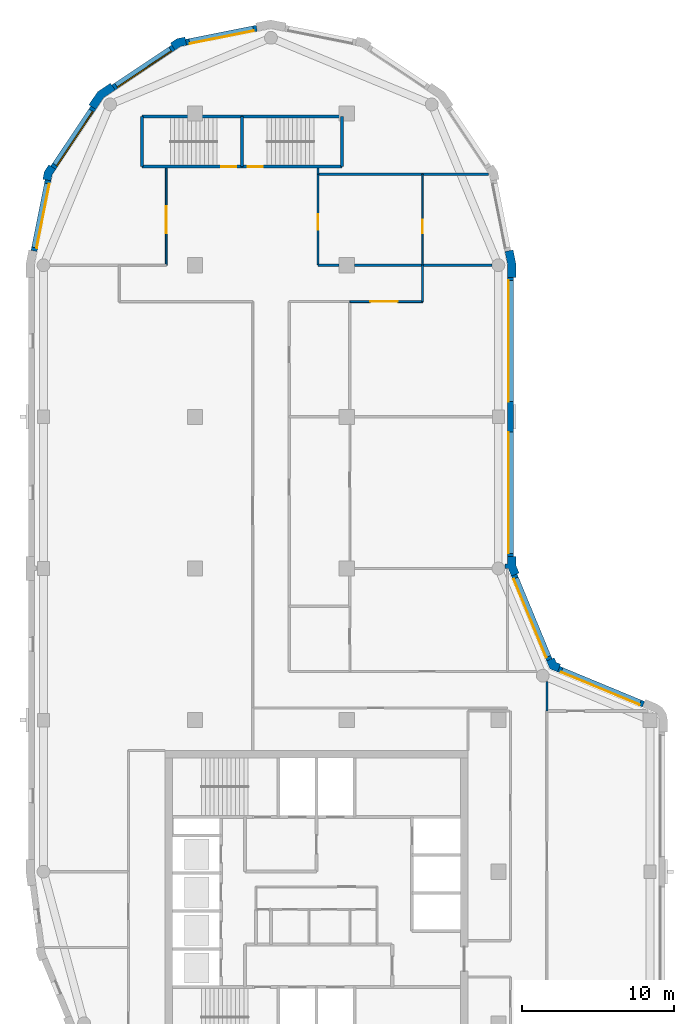
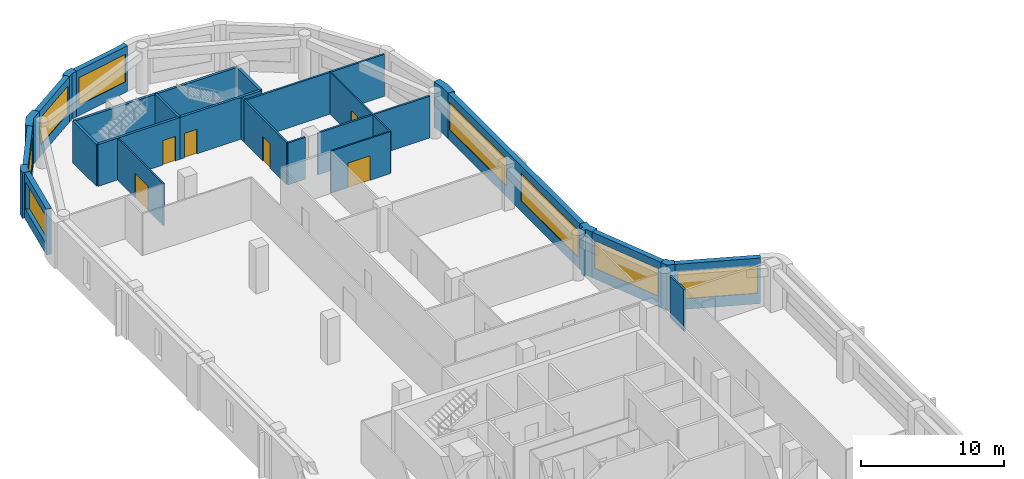
# One storey, part 5 of 8: 30 walls, 8 windows, 6 doors, 14 openings.
"""IFC4 building model written with IfcOpenShell, lengths in metres."""

from ifc_helpers import new_model, si_unit, direction, frame, frame_2d, origin, place, context, subcontext, project, spatial, polyline, rectangle, outline, extrude, material, layer, layer_set, type_object, element, fill, save


model = new_model("IFC4")

# Units and contexts
model_context = context("Model", 3, precision=1e-05, world=origin(), true_north=direction((0.0, 1.0)))
body_context = subcontext(model_context, "Body", "Model", "MODEL_VIEW")
ifc_project = project(units=[si_unit("LENGTHUNIT", "METRE"), si_unit("AREAUNIT", "SQUARE_METRE"), si_unit("VOLUMEUNIT", "CUBIC_METRE"), si_unit("PLANEANGLEUNIT", "RADIAN"), si_unit("MASSUNIT", "GRAM", prefix="KILO")], contexts=[model_context])

# Site, building, storey
site_placement = place(None, origin())
site = spatial("IfcSite", under=ifc_project, at=site_placement, CompositionType="ELEMENT")
building_placement = place(site_placement, origin())
building = spatial("IfcBuilding", under=site, at=building_placement, Name="Qaws Garden Tower", CompositionType="ELEMENT")
storey_placement = place(building_placement, frame((0.0, 0.0, 290.39990234375)))
storey = spatial("IfcBuildingStorey", under=building, at=storey_placement, Name="L70", CompositionType="ELEMENT", Elevation=290.39990234375)

# Wall, opening, window
ifc_material_1 = material(Name="Clay facing brick masonry", Category="masonry")
ifc_layer_1 = layer(ifc_material_1, 0.39990234375)
ifc_layer_set_1 = layer_set([ifc_layer_1], Name="Clay facing brick masonry")
wall_type_1 = type_object("IfcWallType", Name="Brick infill wall 400", PredefinedType="SOLIDWALL", material=ifc_layer_set_1)
wall_1_placement = place(storey_placement, frame((39.56689453125, 31.04541015625, 0.0), z_axis=(0.0, 0.0, 1.0), x_axis=(-0.923891000409, 0.382655745237, 0.0)))
wall_1 = element("IfcWall", 1, at=wall_1_placement, inside=storey, type_object=wall_type_1, Name="E-L70-infill-05", PredefinedType="SOLIDWALL", context=body_context, shape_type="SweptSolid", body=[
    extrude(rectangle(XDim=6.053466796875, YDim=0.39990234375, at=frame_2d((3.02685546875, 0.0))), origin(), (0.0, 0.0, 1.0), 3.900146484375),
])
opening_1_placement = place(wall_1_placement, frame((0.226806640625, 0.0, 0.89990234375)))
opening_1 = element("IfcOpeningElement", 2, at=opening_1_placement, cuts=wall_1, Name="Opening W04", PredefinedType="OPENING", context=body_context, shape_type="SweptSolid", body=[
    extrude(rectangle(XDim=5.60009765625, YDim=2.35009765625, at=frame_2d((2.800048828125, 1.175048828125))), frame((0.0, 0.2099609375, 0.0), z_axis=(0.0, -1.0, 0.0), x_axis=(1.0, 0.0, 0.0)), (0.0, 0.0, 1.0), 0.419921875),
])
ifc_material_2 = material(Name="Aluminium framed window, clear glazing", Category="aluminium")
window_type_1 = type_object("IfcWindowType", Name="Ribbon window 5600 x 2350", PartitioningType="DOUBLE_PANEL_VERTICAL", PredefinedType="WINDOW", material=ifc_material_2)
window_1_placement = place(opening_1_placement, origin())
window_1 = element("IfcWindow", 3, at=window_1_placement, inside=storey, type_object=window_type_1, Name="E-L70-window-05-0", OverallHeight=2.35009765625, OverallWidth=5.60009765625, PartitioningType="SINGLE_PANEL", PredefinedType="WINDOW", context=body_context, shape_type="SweptSolid", body=[
    extrude(rectangle(XDim=5.60009765625, YDim=2.35009765625, at=frame_2d((2.800048828125, 1.175048828125))), frame((0.0, 0.159912109375, 0.0), z_axis=(0.0, -1.0, 0.0), x_axis=(1.0, 0.0, 0.0)), (0.0, 0.0, 1.0), 0.06005859375),
])
fill(opening_1, window_1)

wall_2_placement = place(storey_placement, frame((33.36181640625, 33.97412109375, 0.0), z_axis=(0.0, 0.0, 1.0), x_axis=(-0.382655745237, 0.923891000409, 0.0)))
wall_2 = element("IfcWall", 4, at=wall_2_placement, inside=storey, type_object=wall_type_1, Name="E-L70-infill-06", PredefinedType="SOLIDWALL", context=body_context, shape_type="SweptSolid", body=[
    extrude(rectangle(XDim=6.053466796875, YDim=0.39990234375, at=frame_2d((3.02685546875, 0.0))), origin(), (0.0, 0.0, 1.0), 3.900146484375),
])
opening_2_placement = place(wall_2_placement, frame((0.226806640625, 0.0, 0.89990234375)))
opening_2 = element("IfcOpeningElement", 5, at=opening_2_placement, cuts=wall_2, Name="Opening W04", PredefinedType="OPENING", context=body_context, shape_type="SweptSolid", body=[
    extrude(rectangle(XDim=5.60009765625, YDim=2.35009765625, at=frame_2d((2.800048828125, 1.175048828125))), frame((0.0, 0.2099609375, 0.0), z_axis=(0.0, -1.0, 0.0), x_axis=(1.0, 0.0, 0.0)), (0.0, 0.0, 1.0), 0.419921875),
])
window_2_placement = place(opening_2_placement, origin())
window_2 = element("IfcWindow", 6, at=window_2_placement, inside=storey, type_object=window_type_1, Name="E-L70-window-06-0", OverallHeight=2.35009765625, OverallWidth=5.60009765625, PartitioningType="SINGLE_PANEL", PredefinedType="WINDOW", context=body_context, shape_type="SweptSolid", body=[
    extrude(rectangle(XDim=5.60009765625, YDim=2.35009765625, at=frame_2d((2.800048828125, 1.175048828125))), frame((0.0, 0.159912109375, 0.0), z_axis=(0.0, -1.0, 0.0), x_axis=(1.0, 0.0, 0.0)), (0.0, 0.0, 1.0), 0.06005859375),
])
fill(opening_2, window_2)

# Wall, openings, windows
wall_3_placement = place(storey_placement, frame((30.800048828125, 40.800048828125, 0.0), z_axis=(0.0, 0.0, 1.0), x_axis=(0.0, 1.0, 0.0)))
wall_3 = element("IfcWall", 7, at=wall_3_placement, inside=storey, type_object=wall_type_1, Name="E-L70-infill-07", PredefinedType="SOLIDWALL", context=body_context, shape_type="SweptSolid", body=[
    extrude(rectangle(XDim=18.39990234375, YDim=0.39990234375, at=frame_2d((9.199951171875, 0.0))), origin(), (0.0, 0.0, 1.0), 3.900146484375),
])
opening_3_placement = place(wall_3_placement, frame((0.199951171875, 0.0, 0.89990234375)))
opening_3 = element("IfcOpeningElement", 8, at=opening_3_placement, cuts=wall_3, Name="Opening W01", PredefinedType="OPENING", context=body_context, shape_type="SweptSolid", body=[
    extrude(rectangle(XDim=8.0, YDim=2.35009765625, at=frame_2d((4.0, 1.175048828125))), frame((0.0, 0.2099609375, 0.0), z_axis=(0.0, -1.0, 0.0), x_axis=(1.0, 0.0, 0.0)), (0.0, 0.0, 1.0), 0.419921875),
])
opening_4_placement = place(wall_3_placement, frame((10.199951171875, 0.0, 0.89990234375)))
opening_4 = element("IfcOpeningElement", 9, at=opening_4_placement, cuts=wall_3, Name="Opening W01", PredefinedType="OPENING", context=body_context, shape_type="SweptSolid", body=[
    extrude(rectangle(XDim=8.0, YDim=2.35009765625, at=frame_2d((4.0, 1.175048828125))), frame((0.0, 0.2099609375, 0.0), z_axis=(0.0, -1.0, 0.0), x_axis=(1.0, 0.0, 0.0)), (0.0, 0.0, 1.0), 0.419921875),
])
ifc_material_3 = material(Name="Aluminium framed window, clear glazing", Category="aluminium")
window_type_2 = type_object("IfcWindowType", Name="Ribbon window 8000 x 2350", PartitioningType="DOUBLE_PANEL_VERTICAL", PredefinedType="WINDOW", material=ifc_material_3)
window_3_placement = place(opening_3_placement, origin())
window_3 = element("IfcWindow", 10, at=window_3_placement, inside=storey, type_object=window_type_2, Name="E-L70-window-07-0", OverallHeight=2.35009765625, OverallWidth=8.0, PartitioningType="SINGLE_PANEL", PredefinedType="WINDOW", context=body_context, shape_type="SweptSolid", body=[
    extrude(rectangle(XDim=8.0, YDim=2.35009765625, at=frame_2d((4.0, 1.175048828125))), frame((0.0, 0.159912109375, 0.0), z_axis=(0.0, -1.0, 0.0), x_axis=(1.0, 0.0, 0.0)), (0.0, 0.0, 1.0), 0.06005859375),
])
fill(opening_3, window_3)
window_4_placement = place(opening_4_placement, origin())
window_4 = element("IfcWindow", 11, at=window_4_placement, inside=storey, type_object=window_type_2, Name="E-L70-window-08-0", OverallHeight=2.35009765625, OverallWidth=8.0, PartitioningType="SINGLE_PANEL", PredefinedType="WINDOW", context=body_context, shape_type="SweptSolid", body=[
    extrude(rectangle(XDim=8.0, YDim=2.35009765625, at=frame_2d((4.0, 1.175048828125))), frame((0.0, 0.159912109375, 0.0), z_axis=(0.0, -1.0, 0.0), x_axis=(1.0, 0.0, 0.0)), (0.0, 0.0, 1.0), 0.06005859375),
])
fill(opening_4, window_4)

# Wall, opening, window
wall_4_placement = place(storey_placement, frame((14.059326171875, 75.628662109375, 0.0), z_axis=(0.0, 0.0, 1.0), x_axis=(-0.98078364709, -0.195098533057, 0.0)))
wall_4 = element("IfcWall", 12, at=wall_4_placement, inside=storey, type_object=wall_type_1, Name="E-L70-infill-13", PredefinedType="SOLIDWALL", context=body_context, shape_type="SweptSolid", body=[
    extrude(rectangle(XDim=4.752685546875, YDim=0.39990234375, at=frame_2d((2.37646484375, 0.0))), origin(), (0.0, 0.0, 1.0), 3.900146484375),
])
opening_5_placement = place(wall_4_placement, frame((0.226318359375, 0.0, 0.89990234375)))
opening_5 = element("IfcOpeningElement", 13, at=opening_5_placement, cuts=wall_4, Name="Opening W06", PredefinedType="OPENING", context=body_context, shape_type="SweptSolid", body=[
    extrude(rectangle(XDim=4.300048828125, YDim=2.35009765625, at=frame_2d((2.14990234375, 1.175048828125))), frame((0.0, 0.2099609375, 0.0), z_axis=(0.0, -1.0, 0.0), x_axis=(1.0, 0.0, 0.0)), (0.0, 0.0, 1.0), 0.419921875),
])
ifc_material_4 = material(Name="Aluminium framed window, clear glazing", Category="aluminium")
window_type_3 = type_object("IfcWindowType", Name="Ribbon window 4300 x 2350", PartitioningType="DOUBLE_PANEL_VERTICAL", PredefinedType="WINDOW", material=ifc_material_4)
window_5_placement = place(opening_5_placement, origin())
window_5 = element("IfcWindow", 14, at=window_5_placement, inside=storey, type_object=window_type_3, Name="E-L70-window-13-0", OverallHeight=2.35009765625, OverallWidth=4.300048828125, PartitioningType="SINGLE_PANEL", PredefinedType="WINDOW", context=body_context, shape_type="SweptSolid", body=[
    extrude(rectangle(XDim=4.300048828125, YDim=2.35009765625, at=frame_2d((2.14990234375, 1.175048828125))), frame((0.0, 0.159912109375, 0.0), z_axis=(0.0, -1.0, 0.0), x_axis=(1.0, 0.0, 0.0)), (0.0, 0.0, 1.0), 0.06005859375),
])
fill(opening_5, window_5)

wall_5_placement = place(storey_placement, frame((8.56591796875, 74.356689453125, 0.0), z_axis=(0.0, 0.0, 1.0), x_axis=(-0.831488775454, -0.555541552266, 0.0)))
wall_5 = element("IfcWall", 15, at=wall_5_placement, inside=storey, type_object=wall_type_1, Name="E-L70-infill-14", PredefinedType="SOLIDWALL", context=body_context, shape_type="SweptSolid", body=[
    extrude(rectangle(XDim=4.752685546875, YDim=0.39990234375, at=frame_2d((2.37646484375, 0.0))), origin(), (0.0, 0.0, 1.0), 3.900146484375),
])
opening_6_placement = place(wall_5_placement, frame((0.226318359375, 0.0, 0.89990234375)))
opening_6 = element("IfcOpeningElement", 16, at=opening_6_placement, cuts=wall_5, Name="Opening W06", PredefinedType="OPENING", context=body_context, shape_type="SweptSolid", body=[
    extrude(rectangle(XDim=4.300048828125, YDim=2.35009765625, at=frame_2d((2.14990234375, 1.175048828125))), frame((0.0, 0.2099609375, 0.0), z_axis=(0.0, -1.0, 0.0), x_axis=(1.0, 0.0, 0.0)), (0.0, 0.0, 1.0), 0.419921875),
])
window_6_placement = place(opening_6_placement, origin())
window_6 = element("IfcWindow", 17, at=window_6_placement, inside=storey, type_object=window_type_3, Name="E-L70-window-14-0", OverallHeight=2.35009765625, OverallWidth=4.300048828125, PartitioningType="SINGLE_PANEL", PredefinedType="WINDOW", context=body_context, shape_type="SweptSolid", body=[
    extrude(rectangle(XDim=4.300048828125, YDim=2.35009765625, at=frame_2d((2.14990234375, 1.175048828125))), frame((0.0, 0.159912109375, 0.0), z_axis=(0.0, -1.0, 0.0), x_axis=(1.0, 0.0, 0.0)), (0.0, 0.0, 1.0), 0.06005859375),
])
fill(opening_6, window_6)

wall_6_placement = place(storey_placement, frame((3.28369140625, 70.385986328125, 0.0), z_axis=(0.0, 0.0, 1.0), x_axis=(-0.555541552266, -0.831488775454, 0.0)))
wall_6 = element("IfcWall", 18, at=wall_6_placement, inside=storey, type_object=wall_type_1, Name="E-L70-infill-15", PredefinedType="SOLIDWALL", context=body_context, shape_type="SweptSolid", body=[
    extrude(rectangle(XDim=4.752685546875, YDim=0.39990234375, at=frame_2d((2.37646484375, 0.0))), origin(), (0.0, 0.0, 1.0), 3.900146484375),
])
opening_7_placement = place(wall_6_placement, frame((0.226318359375, 0.0, 0.89990234375)))
opening_7 = element("IfcOpeningElement", 19, at=opening_7_placement, cuts=wall_6, Name="Opening W06", PredefinedType="OPENING", context=body_context, shape_type="SweptSolid", body=[
    extrude(rectangle(XDim=4.300048828125, YDim=2.35009765625, at=frame_2d((2.14990234375, 1.175048828125))), frame((0.0, 0.2099609375, 0.0), z_axis=(0.0, -1.0, 0.0), x_axis=(1.0, 0.0, 0.0)), (0.0, 0.0, 1.0), 0.419921875),
])
window_7_placement = place(opening_7_placement, origin())
window_7 = element("IfcWindow", 20, at=window_7_placement, inside=storey, type_object=window_type_3, Name="E-L70-window-15-0", OverallHeight=2.35009765625, OverallWidth=4.300048828125, PartitioningType="SINGLE_PANEL", PredefinedType="WINDOW", context=body_context, shape_type="SweptSolid", body=[
    extrude(rectangle(XDim=4.300048828125, YDim=2.35009765625, at=frame_2d((2.14990234375, 1.175048828125))), frame((0.0, 0.159912109375, 0.0), z_axis=(0.0, -1.0, 0.0), x_axis=(1.0, 0.0, 0.0)), (0.0, 0.0, 1.0), 0.06005859375),
])
fill(opening_7, window_7)

wall_7_placement = place(storey_placement, frame((0.298583984375, 65.60205078125, 0.0), z_axis=(0.0, 0.0, 1.0), x_axis=(-0.195098533057, -0.98078364709, 0.0)))
wall_7 = element("IfcWall", 21, at=wall_7_placement, inside=storey, type_object=wall_type_1, Name="E-L70-infill-16", PredefinedType="SOLIDWALL", context=body_context, shape_type="SweptSolid", body=[
    extrude(rectangle(XDim=4.752685546875, YDim=0.39990234375, at=frame_2d((2.37646484375, 0.0))), origin(), (0.0, 0.0, 1.0), 3.900146484375),
])
opening_8_placement = place(wall_7_placement, frame((0.226318359375, 0.0, 0.89990234375)))
opening_8 = element("IfcOpeningElement", 22, at=opening_8_placement, cuts=wall_7, Name="Opening W06", PredefinedType="OPENING", context=body_context, shape_type="SweptSolid", body=[
    extrude(rectangle(XDim=4.300048828125, YDim=2.35009765625, at=frame_2d((2.14990234375, 1.175048828125))), frame((0.0, 0.2099609375, 0.0), z_axis=(0.0, -1.0, 0.0), x_axis=(1.0, 0.0, 0.0)), (0.0, 0.0, 1.0), 0.419921875),
])
window_8_placement = place(opening_8_placement, origin())
window_8 = element("IfcWindow", 23, at=window_8_placement, inside=storey, type_object=window_type_3, Name="E-L70-window-16-0", OverallHeight=2.35009765625, OverallWidth=4.300048828125, PartitioningType="SINGLE_PANEL", PredefinedType="WINDOW", context=body_context, shape_type="SweptSolid", body=[
    extrude(rectangle(XDim=4.300048828125, YDim=2.35009765625, at=frame_2d((2.14990234375, 1.175048828125))), frame((0.0, 0.159912109375, 0.0), z_axis=(0.0, -1.0, 0.0), x_axis=(1.0, 0.0, 0.0)), (0.0, 0.0, 1.0), 0.06005859375),
])
fill(opening_8, window_8)

# Walls
ifc_material_5 = material(Name="Clay facing brick masonry", Category="masonry")
ifc_layer_2 = layer(ifc_material_5, 0.550048828125)
ifc_layer_set_2 = layer_set([ifc_layer_2], Name="Clay facing brick masonry")
wall_type_2 = type_object("IfcWallType", Name="Brick kink pier 550 x 600", PredefinedType="SOLIDWALL", material=ifc_layer_set_2)
placement = place(storey_placement, origin())
element("IfcWall", 24, at=placement, inside=storey, type_object=wall_type_2, Name="E-L70-pier-14", PredefinedType="SOLIDWALL", context=body_context, shape_type="SweptSolid", body=[
    extrude(outline(polyline([(9.35888671875, 74.8974609375), (9.32958984375, 75.044677734375), (8.81103515625, 74.94140625), (8.371337890625, 74.647705078125), (8.454833984375, 74.52294921875), (8.677001953125, 74.1904296875), (9.025634765625, 74.42333984375), (9.43701171875, 74.505126953125), (9.35888671875, 74.8974609375)])), origin(), (0.0, 0.0, 1.0), 3.900146484375),
])
element("IfcWall", 25, at=placement, inside=storey, type_object=wall_type_2, Name="E-L70-pier-16", PredefinedType="SOLIDWALL", context=body_context, shape_type="SweptSolid", body=[
    extrude(outline(polyline([(0.47705078125, 66.545166015625), (0.352294921875, 66.628662109375), (0.05859375, 66.18896484375), (-0.044677734375, 65.67041015625), (0.1025390625, 65.64111328125), (0.494873046875, 65.56298828125), (0.57666015625, 65.974365234375), (0.8095703125, 66.322998046875), (0.47705078125, 66.545166015625)])), origin(), (0.0, 0.0, 1.0), 3.900146484375),
])
ifc_material_6 = material(Name="Clay facing brick masonry", Category="masonry")
ifc_layer_3 = layer(ifc_material_6, 0.550048828125)
ifc_layer_set_3 = layer_set([ifc_layer_3], Name="Clay facing brick masonry")
wall_type_3 = type_object("IfcWallType", Name="Brick pier 550 x 1600", PredefinedType="SOLIDWALL", material=ifc_layer_set_3)
element("IfcWall", 26, at=placement, inside=storey, type_object=wall_type_3, Name="E-L70-pier-06", PredefinedType="SOLIDWALL", context=body_context, shape_type="SweptSolid", body=[
    extrude(outline(polyline([(34.05078125, 33.546630859375), (34.108154296875, 33.685302734375), (33.80908203125, 33.80908203125), (33.685302734375, 34.108154296875), (33.546630859375, 34.05078125), (33.177001953125, 33.897705078125), (33.38818359375, 33.38818359375), (33.897705078125, 33.177001953125), (34.05078125, 33.546630859375)])), origin(), (0.0, 0.0, 1.0), 3.900146484375),
])
element("IfcWall", 27, at=placement, inside=storey, type_object=wall_type_3, Name="E-L70-pier-07", PredefinedType="SOLIDWALL", context=body_context, shape_type="SweptSolid", body=[
    extrude(outline(polyline([(30.6201171875, 39.995361328125), (30.6201171875, 40.071044921875), (30.860595703125, 39.490478515625), (31.22998046875, 39.6435546875), (31.36865234375, 39.700927734375), (31.14990234375, 40.228759765625), (31.14990234375, 40.800048828125), (31.0, 40.800048828125), (30.60009765625, 40.800048828125), (30.60009765625, 40.29541015625), (30.425048828125, 40.29541015625), (30.425048828125, 39.995361328125), (30.6201171875, 39.995361328125)])), origin(), (0.0, 0.0, 1.0), 3.900146484375),
])
element("IfcWall", 28, at=placement, inside=storey, type_object=wall_type_3, Name="E-L70-pier-09", PredefinedType="SOLIDWALL", context=body_context, shape_type="SweptSolid", body=[
    extrude(outline(polyline([(31.0, 59.199951171875), (31.14990234375, 59.199951171875), (31.14990234375, 60.11328125), (30.971923828125, 61.009033203125), (30.82470703125, 60.979736328125), (30.432373046875, 60.901611328125), (30.60009765625, 60.05908203125), (30.60009765625, 59.199951171875), (31.0, 59.199951171875)])), origin(), (0.0, 0.0, 1.0), 3.900146484375),
])
element("IfcWall", 29, at=placement, inside=storey, type_object=wall_type_3, Name="E-L70-pier-15", PredefinedType="SOLIDWALL", context=body_context, shape_type="SweptSolid", body=[
    extrude(outline(polyline([(4.5029296875, 71.882568359375), (4.419677734375, 72.00732421875), (3.564208984375, 71.435791015625), (2.99267578125, 70.580322265625), (3.117431640625, 70.4970703125), (3.449951171875, 70.274658203125), (3.9609375, 71.0390625), (4.725341796875, 71.550048828125), (4.5029296875, 71.882568359375)])), origin(), (0.0, 0.0, 1.0), 3.900146484375),
])

# Wall, opening, door
ifc_material_7 = material(Name="Concrete C60", Category="concrete")
ifc_layer_4 = layer(ifc_material_7, 0.199951171875)
ifc_layer_set_4 = layer_set([ifc_layer_4], Name="Concrete C60")
wall_type_4 = type_object("IfcWallType", Name="Core shaft wall 200 C60", PredefinedType="SHEAR", material=ifc_layer_set_4)
wall_14_placement = place(storey_placement, frame((6.5, 66.5, 0.0), z_axis=(0.0, 0.0, 1.0), x_axis=(1.0, 0.0, 0.0)))
wall_14 = element("IfcWall", 30, at=wall_14_placement, inside=storey, type_object=wall_type_4, Name="Shaft wall", PredefinedType="SHEAR", context=body_context, shape_type="SweptSolid", body=[
    extrude(rectangle(XDim=6.60009765625, YDim=0.199951171875, at=frame_2d((3.300048828125, 0.0))), origin(), (0.0, 0.0, 1.0), 3.580078125),
])
opening_9_placement = place(wall_14_placement, frame((5.22509765625, 0.0, 0.0)))
opening_9 = element("IfcOpeningElement", 31, at=opening_9_placement, cuts=wall_14, Name="Opening SD13", PredefinedType="OPENING", context=body_context, shape_type="SweptSolid", body=[
    extrude(rectangle(XDim=1.0, YDim=2.10009765625, at=frame_2d((0.5, 1.050048828125))), frame((0.0, 0.10986328125, 0.0), z_axis=(0.0, -1.0, 0.0), x_axis=(1.0, 0.0, 0.0)), (0.0, 0.0, 1.0), 0.219970703125),
])
ifc_material_8 = material(Name="Steel S235", Category="steel")
door_type_1 = type_object("IfcDoorType", Name="Stair door 1000x2100", OperationType="SINGLE_SWING_RIGHT", PredefinedType="DOOR", material=ifc_material_8)
door_1_placement = place(opening_9_placement, origin())
door_1 = element("IfcDoor", 32, at=door_1_placement, inside=storey, type_object=door_type_1, Name="Stair 6 door", OperationType="SINGLE_SWING_RIGHT", OverallHeight=2.10009765625, OverallWidth=1.0, PredefinedType="DOOR", context=body_context, shape_type="SweptSolid", body=[
    extrude(rectangle(XDim=1.0, YDim=2.10009765625, at=frame_2d((0.5, 1.050048828125))), frame((0.0, 0.02490234375, 0.0), z_axis=(0.0, -1.0, 0.0), x_axis=(1.0, 0.0, 0.0)), (0.0, 0.0, 1.0), 0.050048828125),
])
fill(opening_9, door_1)

wall_15_placement = place(storey_placement, frame((13.10009765625, 66.5, 0.0), z_axis=(0.0, 0.0, 1.0), x_axis=(1.0, 0.0, 0.0)))
wall_15 = element("IfcWall", 33, at=wall_15_placement, inside=storey, type_object=wall_type_4, Name="Shaft wall", PredefinedType="SHEAR", context=body_context, shape_type="SweptSolid", body=[
    extrude(rectangle(XDim=6.599853515625, YDim=0.199951171875, at=frame_2d((3.2998046875, 0.0))), origin(), (0.0, 0.0, 1.0), 3.580078125),
])
opening_10_placement = place(wall_15_placement, frame((0.375, 0.0, 0.0)))
opening_10 = element("IfcOpeningElement", 34, at=opening_10_placement, cuts=wall_15, Name="Opening SD14", PredefinedType="OPENING", context=body_context, shape_type="SweptSolid", body=[
    extrude(rectangle(XDim=1.0, YDim=2.10009765625, at=frame_2d((0.5, 1.050048828125))), frame((0.0, 0.10986328125, 0.0), z_axis=(0.0, -1.0, 0.0), x_axis=(1.0, 0.0, 0.0)), (0.0, 0.0, 1.0), 0.219970703125),
])
door_2_placement = place(opening_10_placement, origin())
door_2 = element("IfcDoor", 35, at=door_2_placement, inside=storey, type_object=door_type_1, Name="Stair 7 door", OperationType="SINGLE_SWING_LEFT", OverallHeight=2.10009765625, OverallWidth=1.0, PredefinedType="DOOR", context=body_context, shape_type="SweptSolid", body=[
    extrude(rectangle(XDim=1.0, YDim=2.10009765625, at=frame_2d((0.5, 1.050048828125))), frame((0.0, 0.02490234375, 0.0), z_axis=(0.0, -1.0, 0.0), x_axis=(1.0, 0.0, 0.0)), (0.0, 0.0, 1.0), 0.050048828125),
])
fill(opening_10, door_2)

# Walls
wall_16_placement = place(storey_placement, frame((6.5, 69.800048828125, 0.0), z_axis=(0.0, 0.0, 1.0), x_axis=(1.0, 0.0, 0.0)))
element("IfcWall", 36, at=wall_16_placement, inside=storey, type_object=wall_type_4, Name="Shaft wall", PredefinedType="SHEAR", context=body_context, shape_type="SweptSolid", body=[
    extrude(rectangle(XDim=6.60009765625, YDim=0.199951171875, at=frame_2d((3.300048828125, 0.0))), origin(), (0.0, 0.0, 1.0), 3.580078125),
])
wall_17_placement = place(storey_placement, frame((13.10009765625, 69.800048828125, 0.0), z_axis=(0.0, 0.0, 1.0), x_axis=(1.0, 0.0, 0.0)))
element("IfcWall", 37, at=wall_17_placement, inside=storey, type_object=wall_type_4, Name="Shaft wall", PredefinedType="SHEAR", context=body_context, shape_type="SweptSolid", body=[
    extrude(rectangle(XDim=6.599853515625, YDim=0.199951171875, at=frame_2d((3.2998046875, 0.0))), origin(), (0.0, 0.0, 1.0), 3.580078125),
])
for number, where, z_axis, x_axis, name in (
    (38, (6.5, 66.5, 0.0), (0.0, 0.0, 1.0), (0.0, 1.0, 0.0), "Shaft wall"),
    (39, (13.10009765625, 66.5, 0.0), (0.0, 0.0, 1.0), (0.0, 1.0, 0.0), "Shaft wall"),
    (40, (19.699951171875, 66.5, 0.0), (0.0, 0.0, 1.0), (0.0, 1.0, 0.0), "Shaft wall"),
):
    element("IfcWall", number, at=place(storey_placement, frame(where, z_axis=z_axis, x_axis=x_axis)), inside=storey, type_object=wall_type_4, Name=name, PredefinedType="SHEAR", context=body_context, shape_type="SweptSolid", body=[
        extrude(rectangle(XDim=3.300048828125, YDim=0.199951171875, at=frame_2d((1.64990234375, 0.0))), origin(), (0.0, 0.0, 1.0), 3.580078125),
    ])

# Wall, opening, door
ifc_material_9 = material(Name="Glass and aluminium framing", Category="aluminium")
ifc_layer_5 = layer(ifc_material_9, 0.1201171875)
ifc_layer_set_5 = layer_set([ifc_layer_5], Name="Glass and aluminium framing")
wall_type_5 = type_object("IfcWallType", Name="GLAZED PARTITION 120 EI 30", PredefinedType="PARTITIONING", material=ifc_layer_set_5)
wall_18_placement = place(storey_placement, frame((8.10009765625, 60.0, 0.0), z_axis=(0.0, 0.0, 1.0), x_axis=(0.0, 1.0, 0.0)))
wall_18 = element("IfcWall", 41, at=wall_18_placement, inside=storey, type_object=wall_type_5, Name="O-L70-wall-039", PredefinedType="PARTITIONING", context=body_context, shape_type="SweptSolid", body=[
    extrude(rectangle(XDim=6.39990234375, YDim=0.1201171875, at=frame_2d((3.199951171875, 0.0))), origin(), (0.0, 0.0, 1.0), 3.580078125),
])
opening_11_placement = place(wall_18_placement, frame((2.10009765625, 0.0, 0.0)))
opening_11 = element("IfcOpeningElement", 42, at=opening_11_placement, cuts=wall_18, Name="Opening C506", PredefinedType="OPENING", context=body_context, shape_type="SweptSolid", body=[
    extrude(rectangle(XDim=1.800048828125, YDim=2.10009765625, at=frame_2d((0.89990234375, 1.050048828125))), frame((0.0, 0.070068359375, 0.0), z_axis=(0.0, -1.0, 0.0), x_axis=(1.0, 0.0, 0.0)), (0.0, 0.0, 1.0), 0.14013671875),
])
ifc_material_10 = material(Name="Timber door leaf", Category="wood")
door_type_2 = type_object("IfcDoorType", Name="DOUBLE DOOR 1800 X 2100", OperationType="DOUBLE_DOOR_SINGLE_SWING", PredefinedType="DOOR", material=ifc_material_10)
door_3_placement = place(opening_11_placement, origin())
door_3 = element("IfcDoor", 43, at=door_3_placement, inside=storey, type_object=door_type_2, Name="O-L70-door-006", OperationType="DOUBLE_DOOR_SINGLE_SWING", OverallHeight=2.10009765625, OverallWidth=1.800048828125, PredefinedType="DOOR", context=body_context, shape_type="SweptSolid", body=[
    extrude(rectangle(XDim=1.800048828125, YDim=2.10009765625, at=frame_2d((0.89990234375, 1.050048828125))), frame((0.0, 0.02490234375, 0.0), z_axis=(0.0, -1.0, 0.0), x_axis=(1.0, 0.0, 0.0)), (0.0, 0.0, 1.0), 0.050048828125),
])
fill(opening_11, door_3)

# Walls
wall_19_placement = place(storey_placement, frame((18.10009765625, 66.0, 0.0), z_axis=(0.0, 0.0, 1.0), x_axis=(0.0, 1.0, 0.0)))
element("IfcWall", 44, at=wall_19_placement, inside=storey, type_object=wall_type_5, Name="O-L70-wall-041", PredefinedType="PARTITIONING", context=body_context, shape_type="SweptSolid", body=[
    extrude(rectangle(XDim=0.39990234375, YDim=0.1201171875, at=frame_2d((0.199951171875, 0.0))), origin(), (0.0, 0.0, 1.0), 3.580078125),
])
wall_20_placement = place(storey_placement, frame((25.0, 57.60009765625, 0.0), z_axis=(0.0, 0.0, 1.0), x_axis=(0.0, 1.0, 0.0)))
element("IfcWall", 45, at=wall_20_placement, inside=storey, type_object=wall_type_5, Name="O-L70-wall-042", PredefinedType="PARTITIONING", context=body_context, shape_type="SweptSolid", body=[
    extrude(rectangle(XDim=2.39990234375, YDim=0.1201171875, at=frame_2d((1.199951171875, 0.0))), origin(), (0.0, 0.0, 1.0), 3.580078125),
])

# Wall, opening, door
wall_21_placement = place(storey_placement, frame((20.199951171875, 57.60009765625, 0.0), z_axis=(0.0, 0.0, 1.0), x_axis=(1.0, 0.0, 0.0)))
wall_21 = element("IfcWall", 46, at=wall_21_placement, inside=storey, type_object=wall_type_5, Name="O-L70-wall-051", PredefinedType="PARTITIONING", context=body_context, shape_type="SweptSolid", body=[
    extrude(rectangle(XDim=4.800048828125, YDim=0.1201171875, at=frame_2d((2.39990234375, 0.0))), origin(), (0.0, 0.0, 1.0), 3.580078125),
])
opening_12_placement = place(wall_21_placement, frame((1.35009765625, 0.0, 0.0)))
opening_12 = element("IfcOpeningElement", 47, at=opening_12_placement, cuts=wall_21, Name="Opening C505", PredefinedType="OPENING", context=body_context, shape_type="SweptSolid", body=[
    extrude(rectangle(XDim=1.800048828125, YDim=2.10009765625, at=frame_2d((0.89990234375, 1.050048828125))), frame((0.0, 0.070068359375, 0.0), z_axis=(0.0, -1.0, 0.0), x_axis=(1.0, 0.0, 0.0)), (0.0, 0.0, 1.0), 0.14013671875),
])
door_4_placement = place(opening_12_placement, frame((1.800048828125, 0.0, 0.0), z_axis=(0.0, 0.0, 1.0), x_axis=(-1.0, 0.0, 0.0)))
door_4 = element("IfcDoor", 48, at=door_4_placement, inside=storey, type_object=door_type_2, Name="O-L70-door-005", OperationType="DOUBLE_DOOR_SINGLE_SWING", OverallHeight=2.10009765625, OverallWidth=1.800048828125, PredefinedType="DOOR", context=body_context, shape_type="SweptSolid", body=[
    extrude(rectangle(XDim=1.800048828125, YDim=2.10009765625, at=frame_2d((0.89990234375, 1.050048828125))), frame((0.0, 0.02490234375, 0.0), z_axis=(0.0, -1.0, 0.0), x_axis=(1.0, 0.0, 0.0)), (0.0, 0.0, 1.0), 0.050048828125),
])
fill(opening_12, door_4)

ifc_material_11 = material(Name="Gypsum board partition")
ifc_layer_6 = layer(ifc_material_11, 0.10009765625)
ifc_layer_set_6 = layer_set([ifc_layer_6], Name="Gypsum board partition")
wall_type_6 = type_object("IfcWallType", Name="PARTITION 100", PredefinedType="PARTITIONING", material=ifc_layer_set_6)
wall_22_placement = place(storey_placement, frame((25.0, 60.0, 0.0), z_axis=(0.0, 0.0, 1.0), x_axis=(0.0, 1.0, 0.0)))
wall_22 = element("IfcWall", 49, at=wall_22_placement, inside=storey, type_object=wall_type_6, Name="O-L70-wall-003", PredefinedType="PARTITIONING", context=body_context, shape_type="SweptSolid", body=[
    extrude(rectangle(XDim=6.0, YDim=0.10009765625, at=frame_2d((3.0, 0.0))), origin(), (0.0, 0.0, 1.0), 3.580078125),
])
opening_13_placement = place(wall_22_placement, frame((2.10009765625, 0.0, 0.0)))
opening_13 = element("IfcOpeningElement", 50, at=opening_13_placement, cuts=wall_22, Name="Opening C517", PredefinedType="OPENING", context=body_context, shape_type="SweptSolid", body=[
    extrude(rectangle(XDim=0.89990234375, YDim=2.10009765625, at=frame_2d((0.449951171875, 1.050048828125))), frame((0.0, 0.06005859375, 0.0), z_axis=(0.0, -1.0, 0.0), x_axis=(1.0, 0.0, 0.0)), (0.0, 0.0, 1.0), 0.1201171875),
])
ifc_material_12 = material(Name="Timber door leaf", Category="wood")
door_type_3 = type_object("IfcDoorType", Name="OFFICE DOOR 900 X 2100", OperationType="SINGLE_SWING_LEFT", PredefinedType="DOOR", material=ifc_material_12)
door_5_placement = place(opening_13_placement, frame((0.89990234375, 0.0, 0.0), z_axis=(0.0, 0.0, 1.0), x_axis=(-1.0, 0.0, 0.0)))
door_5 = element("IfcDoor", 51, at=door_5_placement, inside=storey, type_object=door_type_3, Name="O-L70-door-017", OperationType="SINGLE_SWING_RIGHT", OverallHeight=2.10009765625, OverallWidth=0.89990234375, PredefinedType="DOOR", context=body_context, shape_type="SweptSolid", body=[
    extrude(rectangle(XDim=0.89990234375, YDim=2.10009765625, at=frame_2d((0.449951171875, 1.050048828125))), frame((0.0, 0.02490234375, 0.0), z_axis=(0.0, -1.0, 0.0), x_axis=(1.0, 0.0, 0.0)), (0.0, 0.0, 1.0), 0.050048828125),
])
fill(opening_13, door_5)

ifc_material_13 = material(Name="Gypsum board partition")
ifc_layer_7 = layer(ifc_material_13, 0.14990234375)
ifc_layer_set_7 = layer_set([ifc_layer_7], Name="Gypsum board partition")
wall_type_7 = type_object("IfcWallType", Name="PARTITION 150 EI 60", PredefinedType="PARTITIONING", material=ifc_layer_set_7)
wall_23_placement = place(storey_placement, frame((18.10009765625, 60.0, 0.0), z_axis=(0.0, 0.0, 1.0), x_axis=(0.0, 1.0, 0.0)))
wall_23 = element("IfcWall", 52, at=wall_23_placement, inside=storey, type_object=wall_type_7, Name="O-L70-wall-008", PredefinedType="PARTITIONING", context=body_context, shape_type="SweptSolid", body=[
    extrude(rectangle(XDim=6.0, YDim=0.14990234375, at=frame_2d((3.0, 0.0))), origin(), (0.0, 0.0, 1.0), 3.580078125),
])
opening_14_placement = place(wall_23_placement, frame((2.35009765625, 0.0, 0.0)))
opening_14 = element("IfcOpeningElement", 53, at=opening_14_placement, cuts=wall_23, Name="Opening C507", PredefinedType="OPENING", context=body_context, shape_type="SweptSolid", body=[
    extrude(rectangle(XDim=1.0, YDim=2.10009765625, at=frame_2d((0.5, 1.050048828125))), frame((0.0, 0.0849609375, 0.0), z_axis=(0.0, -1.0, 0.0), x_axis=(1.0, 0.0, 0.0)), (0.0, 0.0, 1.0), 0.169921875),
])
ifc_material_14 = material(Name="Timber door leaf", Category="wood")
door_type_4 = type_object("IfcDoorType", Name="TENANCY ENTRANCE DOOR 1000 X 2100", OperationType="SINGLE_SWING_LEFT", PredefinedType="DOOR", material=ifc_material_14)
door_6_placement = place(opening_14_placement, frame((1.0, 0.0, 0.0), z_axis=(0.0, 0.0, 1.0), x_axis=(-1.0, 0.0, 0.0)))
door_6 = element("IfcDoor", 54, at=door_6_placement, inside=storey, type_object=door_type_4, Name="O-L70-door-007", OperationType="SINGLE_SWING_RIGHT", OverallHeight=2.10009765625, OverallWidth=1.0, PredefinedType="DOOR", context=body_context, shape_type="SweptSolid", body=[
    extrude(rectangle(XDim=1.0, YDim=2.10009765625, at=frame_2d((0.5, 1.050048828125))), frame((0.0, 0.02490234375, 0.0), z_axis=(0.0, -1.0, 0.0), x_axis=(1.0, 0.0, 0.0)), (0.0, 0.0, 1.0), 0.050048828125),
])
fill(opening_14, door_6)

# Walls
wall_24_placement = place(storey_placement, frame((33.199951171875, 30.60009765625, 0.0), z_axis=(0.0, 0.0, 1.0), x_axis=(0.0, 1.0, 0.0)))
element("IfcWall", 55, at=wall_24_placement, inside=storey, type_object=wall_type_7, Name="O-L70-wall-016", PredefinedType="PARTITIONING", context=body_context, shape_type="SweptSolid", body=[
    extrude(rectangle(XDim=1.951904296875, YDim=0.14990234375, at=frame_2d((0.97607421875, 0.0))), origin(), (0.0, 0.0, 1.0), 3.580078125),
])
wall_25_placement = place(storey_placement, frame((18.10009765625, 60.0, 0.0), z_axis=(0.0, 0.0, 1.0), x_axis=(1.0, 0.0, 0.0)))
element("IfcWall", 56, at=wall_25_placement, inside=storey, type_object=wall_type_7, Name="O-L70-wall-032", PredefinedType="PARTITIONING", context=body_context, shape_type="SweptSolid", body=[
    extrude(rectangle(XDim=1.39990234375, YDim=0.14990234375, at=frame_2d((0.699951171875, 0.0))), origin(), (0.0, 0.0, 1.0), 3.580078125),
])
wall_26_placement = place(storey_placement, frame((20.5, 60.0, 0.0), z_axis=(0.0, 0.0, 1.0), x_axis=(1.0, 0.0, 0.0)))
element("IfcWall", 57, at=wall_26_placement, inside=storey, type_object=wall_type_7, Name="O-L70-wall-033", PredefinedType="PARTITIONING", context=body_context, shape_type="SweptSolid", body=[
    extrude(rectangle(XDim=9.074951171875, YDim=0.14990234375, at=frame_2d((4.53759765625, 0.0))), origin(), (0.0, 0.0, 1.0), 3.580078125),
])
wall_27_placement = place(storey_placement, frame((18.10009765625, 66.0, 0.0), z_axis=(0.0, 0.0, 1.0), x_axis=(1.0, 0.0, 0.0)))
element("IfcWall", 58, at=wall_27_placement, inside=storey, type_object=wall_type_7, Name="O-L70-wall-034", PredefinedType="PARTITIONING", context=body_context, shape_type="SweptSolid", body=[
    extrude(rectangle(XDim=11.256103515625, YDim=0.14990234375, at=frame_2d((5.6279296875, 0.0))), origin(), (0.0, 0.0, 1.0), 3.580078125),
])

save(model, "model.ifc")
